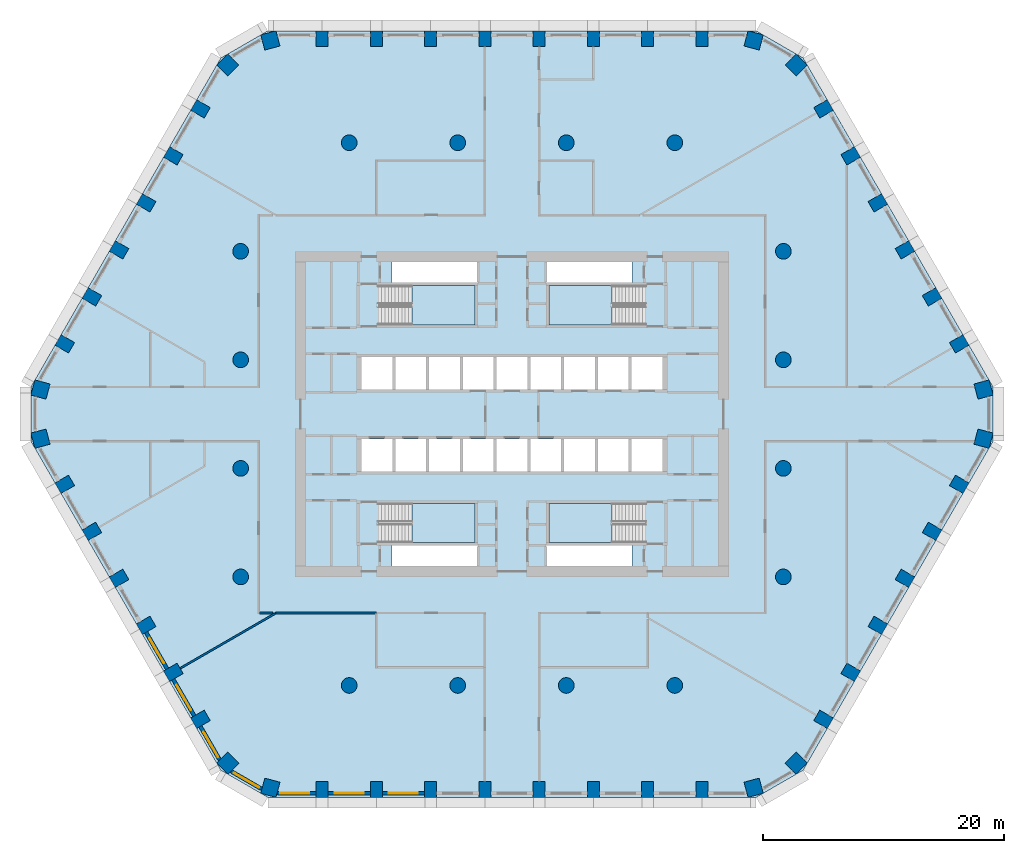
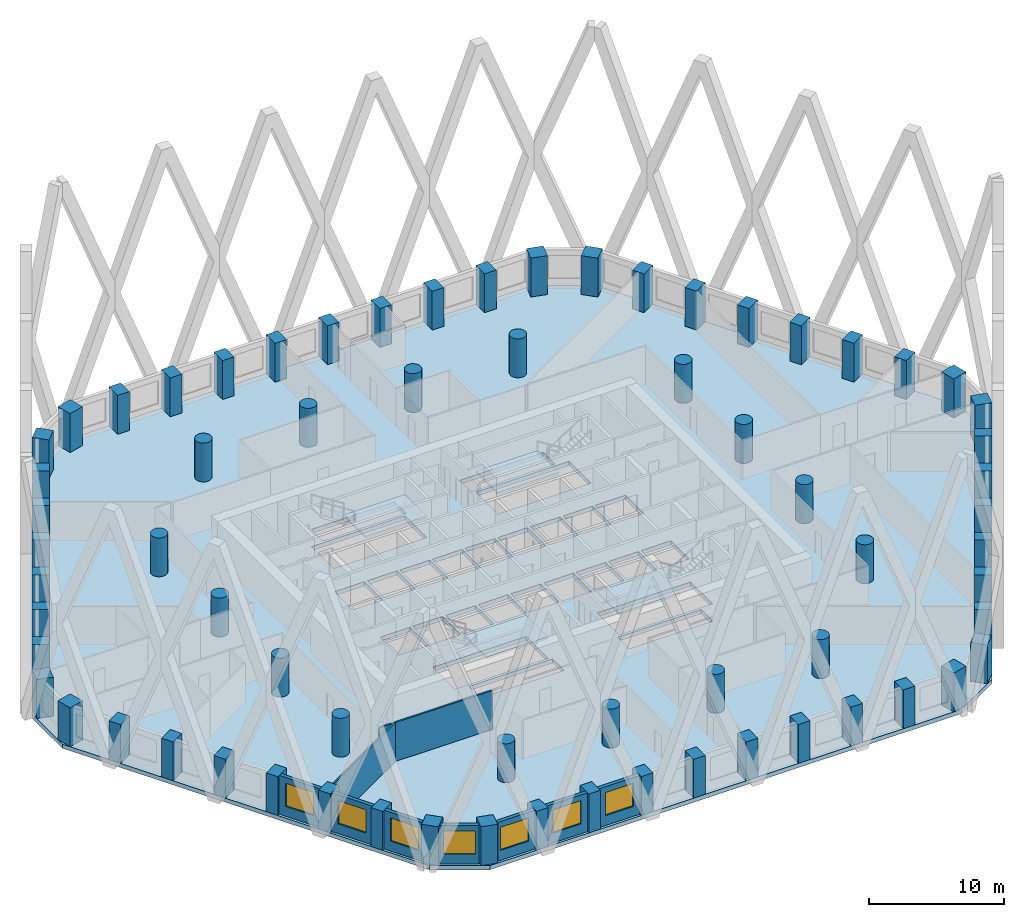
# One storey, part 1 of 18: 68 columns, 10 walls, 7 windows, 5 slabs, 7 openings, 4 elements without a shape of their own.
"""IFC4 building model written with IfcOpenShell, lengths in metres."""

import ifcopenshell
import ifcopenshell.guid

model = None  # the IFC model being written
_history = None  # IfcOwnerHistory: only IFC2X3 demands one
_inside = {}  # id of a spatial element -> (the spatial element, [elements in it])
_under = {}  # id of a project, library or spatial element -> (it, [spatial elements below it])
_declared = {}  # id of a project -> (the project, [libraries it declares])
_typed = {}  # id of a type object -> (the type object, [elements of that type])
_made_of = {}  # id of a material, layer set ... -> (it, [elements and type objects made of it])


def new_model(schema):
    """Start an empty IFC model of exactly this schema.

    Asked for "IFC4X3", IfcOpenShell would pick the latest addendum, in which some entities
    have other attributes; the version numbers below select the first issue.
    IFC2X3 requires an IfcOwnerHistory on every rooted entity: one is made here for all.
    """
    global model, _history
    if schema == "IFC4X3":
        model = ifcopenshell.file(schema_version=(4, 3, 0, 0))
    else:
        model = ifcopenshell.file(schema=schema)
    _inside.clear()
    _under.clear()
    _declared.clear()
    _typed.clear()
    _made_of.clear()
    _history = None
    if model.schema == "IFC2X3":
        org = make("IfcOrganization", Name="unknown")
        user = make(
            "IfcPersonAndOrganization",
            ThePerson=make("IfcPerson", FamilyName="unknown"),
            TheOrganization=org,
        )
        app = make(
            "IfcApplication",
            ApplicationDeveloper=org,
            Version="unknown",
            ApplicationFullName="unknown",
            ApplicationIdentifier="unknown",
        )
        _history = make(
            "IfcOwnerHistory",
            OwningUser=user,
            OwningApplication=app,
            ChangeAction="ADDED",
            CreationDate=0,
        )
    return model


def make(cls, **values):
    """One entity of the class cls with the attributes given. An attribute that is None is left unset."""
    return model.create_entity(
        cls, **{name: value for name, value in values.items() if value is not None}
    )


def rooted(cls, **values):
    """An entity with a GlobalId (a new one), such as an element, a storey or a relation."""
    return make(cls, GlobalId=ifcopenshell.guid.new(), OwnerHistory=_history, **values)


def si_unit(unit_type, name, prefix=None):
    """IfcSIUnit, for example si_unit("LENGTHUNIT", "METRE", prefix="MILLI")."""
    return make("IfcSIUnit", UnitType=unit_type, Prefix=prefix, Name=name)


def assignment(units):
    """IfcUnitAssignment: the units of a project."""
    return None if units is None else make("IfcUnitAssignment", Units=units)


def point(xyz):
    """IfcCartesianPoint."""
    return None if xyz is None else make("IfcCartesianPoint", Coordinates=xyz)


def direction(xyz):
    """IfcDirection."""
    return None if xyz is None else make("IfcDirection", DirectionRatios=xyz)


def frame(location, z_axis=None, x_axis=None):
    """IfcAxis2Placement3D, a coordinate frame: its origin and axes. An axis left out is left unset."""
    return make(
        "IfcAxis2Placement3D",
        Location=point(location),
        Axis=direction(z_axis),
        RefDirection=direction(x_axis),
    )


def frame_2d(location, x_axis=None):
    """IfcAxis2Placement2D, a coordinate frame in the plane: its origin and x axis."""
    return make(
        "IfcAxis2Placement2D", Location=point(location), RefDirection=direction(x_axis)
    )


def origin():
    """The frame at (0, 0, 0) with its axes left unset."""
    return frame((0.0, 0.0, 0.0))


def origin_2d():
    """The frame at (0, 0) in the plane with its x axis left unset."""
    return frame_2d((0.0, 0.0))


def place(relative_to, where):
    """IfcLocalPlacement: puts the frame where relative to a parent placement (None: the world)."""
    return make(
        "IfcLocalPlacement", PlacementRelTo=relative_to, RelativePlacement=where
    )


def context(
    kind, dimensions, precision=None, world=None, true_north=None, identifier=None
):
    """IfcGeometricRepresentationContext, for example the 3D "Model" context."""
    return make(
        "IfcGeometricRepresentationContext",
        ContextIdentifier=identifier,
        ContextType=kind,
        CoordinateSpaceDimension=dimensions,
        Precision=precision,
        WorldCoordinateSystem=world,
        TrueNorth=true_north,
    )


def subcontext(parent, identifier, kind, view, scale=None):
    """IfcGeometricRepresentationSubContext, for example "Body" below "Model"."""
    return make(
        "IfcGeometricRepresentationSubContext",
        ContextIdentifier=identifier,
        ContextType=kind,
        ParentContext=parent,
        TargetScale=scale,
        TargetView=view,
    )


def project(units=None, contexts=None):
    """IfcProject with its units and contexts."""
    return rooted(
        "IfcProject",
        Name="project",
        RepresentationContexts=contexts,
        UnitsInContext=assignment(units),
    )


def spatial(cls, under=None, at=None, **own):
    """A site, building, storey or space (cls), placed at a placement, below another one or the project."""
    s = rooted(cls, ObjectPlacement=at, **own)
    if under is not None:
        _under.setdefault(under.id(), (under, []))[1].append(s)
    return s


def polyline(points):
    """IfcPolyline through the points."""
    return make("IfcPolyline", Points=[point(p) for p in points])


def profile(cls, at=None, kind="AREA", **sizes):
    """A parametric profile (cls). Its sizes go by their IFC names, for example OverallWidth=200.0."""
    return make(cls, ProfileType=kind, Position=at, **sizes)


def rectangle(**sizes):
    """IfcRectangleProfileDef."""
    return profile("IfcRectangleProfileDef", **sizes)


def circle(**sizes):
    """IfcCircleProfileDef."""
    return profile("IfcCircleProfileDef", **sizes)


def outline(outer, holes=None, kind="AREA"):
    """IfcArbitraryClosedProfileDef: a profile drawn as a closed curve; with holes, ...WithVoids."""
    if holes is None:
        return make("IfcArbitraryClosedProfileDef", ProfileType=kind, OuterCurve=outer)
    return make(
        "IfcArbitraryProfileDefWithVoids",
        ProfileType=kind,
        OuterCurve=outer,
        InnerCurves=holes,
    )


def extrude(swept, where, along, depth):
    """IfcExtrudedAreaSolid: the profile swept, set in the frame where, extruded along a direction by depth."""
    return make(
        "IfcExtrudedAreaSolid",
        SweptArea=swept,
        Position=where,
        ExtrudedDirection=direction(along),
        Depth=depth,
    )


def shape(context_of_items, identifier, shape_type, items):
    """IfcShapeRepresentation: the items that make up one representation, for example the "Body"."""
    return make(
        "IfcShapeRepresentation",
        ContextOfItems=context_of_items,
        RepresentationIdentifier=identifier,
        RepresentationType=shape_type,
        Items=items,
    )


def material(Name=None, Category=None):
    """IfcMaterial."""
    return make("IfcMaterial", Name=Name, Category=Category)


def layer(
    of_material, thickness, ventilated=None, Name=None, Category=None, Priority=None
):
    """IfcMaterialLayer: one layer of a wall or slab, of a material (None: an air gap)."""
    return make(
        "IfcMaterialLayer",
        Material=of_material,
        LayerThickness=thickness,
        IsVentilated=ventilated,
        Name=Name,
        Category=Category,
        Priority=Priority,
    )


def layer_set(layers, Name=None):
    """IfcMaterialLayerSet."""
    return make("IfcMaterialLayerSet", MaterialLayers=layers, LayerSetName=Name)


def material_profile(
    of_material, cross_section, Name=None, Category=None, Priority=None
):
    """IfcMaterialProfile: a cross section and its material."""
    return make(
        "IfcMaterialProfile",
        Name=Name,
        Material=of_material,
        Profile=cross_section,
        Priority=Priority,
        Category=Category,
    )


def profile_set(profiles, Name=None, composite=None):
    """IfcMaterialProfileSet."""
    return make(
        "IfcMaterialProfileSet",
        Name=Name,
        MaterialProfiles=profiles,
        CompositeProfile=composite,
    )


def made_of(thing, what):
    """Note that an element or type object is made of a material, layer set ...; save() writes the relation."""
    if what is not None:
        _made_of.setdefault(what.id(), (what, []))[1].append(thing)
    return thing


def type_object(cls, material=None, **own):
    """A type object (cls), such as IfcWallType, which elements share."""
    return made_of(rooted(cls, **own), material)


def element(
    cls,
    number,
    at=None,
    inside=None,
    cuts=None,
    type_object=None,
    material=None,
    context=None,
    identifier="Body",
    shape_type=None,
    held_by="IfcProductDefinitionShape",
    body=None,
    shapes=None,
    **own,
):
    """One element of the class cls, such as IfcWall. Its Tag is "e" and its number.

    at: its placement. inside: the storey or other place that contains it. cuts: it is an
    opening in that element (IfcRelVoidsElement). A single representation is given by context,
    identifier, shape_type and body (its items); several are given by shapes. held_by: the class
    of the entity that holds the representations. save() writes the other relations.
    """
    e = rooted(cls, Tag="e%d" % number, ObjectPlacement=at, **own)
    if body is not None:
        shapes = [shape(context, identifier, shape_type, body)]
    if shapes is not None:
        e.Representation = make(held_by, Representations=shapes)
    if inside is not None:
        _inside.setdefault(inside.id(), (inside, []))[1].append(e)
    if cuts is not None:
        rooted(
            "IfcRelVoidsElement", RelatingBuildingElement=cuts, RelatedOpeningElement=e
        )
    if type_object is not None:
        _typed.setdefault(type_object.id(), (type_object, []))[1].append(e)
    return made_of(e, material)


def fill(opening, filler):
    """IfcRelFillsElement: the door or window that sits in an opening."""
    return rooted(
        "IfcRelFillsElement",
        RelatingOpeningElement=opening,
        RelatedBuildingElement=filler,
    )


def aggregate(whole, parts):
    """IfcRelAggregates: a whole, such as a stair, and the parts it consists of."""
    return rooted("IfcRelAggregates", RelatingObject=whole, RelatedObjects=parts)


def save(model, path):
    """Write the relations noted so far, then the file.

    IfcRelAggregates (storeys below a building ...), IfcRelContainedInSpatialStructure (elements
    in a storey), IfcRelDefinesByType, IfcRelAssociatesMaterial and IfcRelDeclares: one each for
    every whole, place, type object, material and project.
    """
    for whole, parts in _under.values():
        aggregate(whole, parts)
    for where, things in _inside.values():
        rooted(
            "IfcRelContainedInSpatialStructure",
            RelatedElements=things,
            RelatingStructure=where,
        )
    for kind, things in _typed.values():
        rooted("IfcRelDefinesByType", RelatedObjects=things, RelatingType=kind)
    for what, things in _made_of.values():
        rooted("IfcRelAssociatesMaterial", RelatedObjects=things, RelatingMaterial=what)
    for by, libraries in _declared.values():
        rooted("IfcRelDeclares", RelatingContext=by, RelatedDefinitions=libraries)
    model.write(path)


model = new_model("IFC4")

# Units and contexts
model_context = context("Model", 3, precision=1e-05, world=origin(), true_north=direction((0.0, 1.0)))
body_context = subcontext(model_context, "Body", "Model", "MODEL_VIEW")
ifc_project = project(units=[si_unit("LENGTHUNIT", "METRE"), si_unit("AREAUNIT", "SQUARE_METRE"), si_unit("VOLUMEUNIT", "CUBIC_METRE"), si_unit("PLANEANGLEUNIT", "RADIAN"), si_unit("MASSUNIT", "GRAM", prefix="KILO")], contexts=[model_context])

# Site, building, storey
site_placement = place(None, origin())
site = spatial("IfcSite", under=ifc_project, at=site_placement, CompositionType="ELEMENT")
building_placement = place(site_placement, origin())
building = spatial("IfcBuilding", under=site, at=building_placement, Name="Dhurran Vertical Campus", CompositionType="ELEMENT")
storey_placement = place(building_placement, frame((0.0, 0.0, 104.699951171875)))
storey = spatial("IfcBuildingStorey", under=building, at=storey_placement, Name="L25", CompositionType="ELEMENT", Elevation=104.699951171875)

# Columns
ifc_material_1 = material(Name="Concrete C60/75", Category="concrete")
ifc_material_profile_1 = material_profile(ifc_material_1, rectangle(XDim=1.0, YDim=1.300048828125, at=origin_2d()), Name="RC 1000x1300")
ifc_profile_set_1 = profile_set([ifc_material_profile_1], Name="Concrete C60/75")
column_type_1 = type_object("IfcColumnType", Name="FR COL RC 1000x1300 C60/75", PredefinedType="COLUMN", material=ifc_profile_set_1)
for number, where, z_axis, x_axis, name in (
    (1, (-15.75, -31.1298828125, 0.0), (0.0, 0.0, 1.0), (1.0, 0.0, 0.0), "Perimeter pier PP2.01"),
    (2, (-11.25, -31.1298828125, 0.0), (0.0, 0.0, 1.0), (1.0, 0.0, 0.0), "Perimeter pier PP2.02"),
    (3, (-6.75, -31.1298828125, 0.0), (0.0, 0.0, 1.0), (1.0, 0.0, 0.0), "Perimeter pier PP2.03"),
    (4, (-2.25, -31.1298828125, 0.0), (0.0, 0.0, 1.0), (1.0, 0.0, 0.0), "Perimeter pier PP2.04"),
    (5, (2.25, -31.1298828125, 0.0), (0.0, 0.0, 1.0), (1.0, 0.0, 0.0), "Perimeter pier PP2.05"),
    (6, (6.75, -31.1298828125, 0.0), (0.0, 0.0, 1.0), (1.0, 0.0, 0.0), "Perimeter pier PP2.06"),
    (7, (11.25, -31.1298828125, 0.0), (0.0, 0.0, 1.0), (1.0, 0.0, 0.0), "Perimeter pier PP2.07"),
    (8, (15.75, -31.1298828125, 0.0), (0.0, 0.0, 1.0), (1.0, 0.0, 0.0), "Perimeter pier PP2.08"),
    (9, (25.834228515625, -25.3076171875, 0.0), (0.0, 0.0, 1.0), (0.5, 0.866025403784, 0.0), "Perimeter pier PP2.11"),
    (10, (28.084228515625, -21.41064453125, 0.0), (0.0, 0.0, 1.0), (0.5, 0.866025403784, 0.0), "Perimeter pier PP2.12"),
    (11, (30.334228515625, -17.513427734375, 0.0), (0.0, 0.0, 1.0), (0.5, 0.866025403784, 0.0), "Perimeter pier PP2.13"),
    (12, (32.584228515625, -13.6162109375, 0.0), (0.0, 0.0, 1.0), (0.5, 0.866025403784, 0.0), "Perimeter pier PP2.14"),
    (13, (34.834228515625, -9.71923828125, 0.0), (0.0, 0.0, 1.0), (0.5, 0.866025403784, 0.0), "Perimeter pier PP2.15"),
    (14, (37.084228515625, -5.822021484375, 0.0), (0.0, 0.0, 1.0), (0.5, 0.866025403784, 0.0), "Perimeter pier PP2.16"),
    (15, (37.084228515625, 5.822021484375, 0.0), (0.0, 0.0, 1.0), (-0.5, 0.866025403784, 0.0), "Perimeter pier PP2.19"),
    (16, (34.834228515625, 9.71923828125, 0.0), (0.0, 0.0, 1.0), (-0.5, 0.866025403784, 0.0), "Perimeter pier PP2.20"),
    (17, (32.584228515625, 13.6162109375, 0.0), (0.0, 0.0, 1.0), (-0.5, 0.866025403784, 0.0), "Perimeter pier PP2.21"),
    (18, (30.334228515625, 17.513427734375, 0.0), (0.0, 0.0, 1.0), (-0.5, 0.866025403784, 0.0), "Perimeter pier PP2.22"),
    (19, (28.084228515625, 21.41064453125, 0.0), (0.0, 0.0, 1.0), (-0.5, 0.866025403784, 0.0), "Perimeter pier PP2.23"),
    (20, (25.834228515625, 25.3076171875, 0.0), (0.0, 0.0, 1.0), (-0.5, 0.866025403784, 0.0), "Perimeter pier PP2.24"),
    (21, (15.75, 31.1298828125, 0.0), (0.0, 0.0, 1.0), (-1.0, 0.0, 0.0), "Perimeter pier PP2.27"),
    (22, (11.25, 31.1298828125, 0.0), (0.0, 0.0, 1.0), (-1.0, 0.0, 0.0), "Perimeter pier PP2.28"),
    (23, (6.75, 31.1298828125, 0.0), (0.0, 0.0, 1.0), (-1.0, 0.0, 0.0), "Perimeter pier PP2.29"),
    (24, (2.25, 31.1298828125, 0.0), (0.0, 0.0, 1.0), (-1.0, 0.0, 0.0), "Perimeter pier PP2.30"),
    (25, (-2.25, 31.1298828125, 0.0), (0.0, 0.0, 1.0), (-1.0, 0.0, 0.0), "Perimeter pier PP2.31"),
    (26, (-6.75, 31.1298828125, 0.0), (0.0, 0.0, 1.0), (-1.0, 0.0, 0.0), "Perimeter pier PP2.32"),
    (27, (-11.25, 31.1298828125, 0.0), (0.0, 0.0, 1.0), (-1.0, 0.0, 0.0), "Perimeter pier PP2.33"),
    (28, (-15.75, 31.1298828125, 0.0), (0.0, 0.0, 1.0), (-1.0, 0.0, 0.0), "Perimeter pier PP2.34"),
    (29, (-25.834228515625, 25.3076171875, 0.0), (0.0, 0.0, 1.0), (-0.5, -0.866025403784, 0.0), "Perimeter pier PP2.37"),
    (30, (-28.084228515625, 21.41064453125, 0.0), (0.0, 0.0, 1.0), (-0.5, -0.866025403784, 0.0), "Perimeter pier PP2.38"),
    (31, (-30.334228515625, 17.513427734375, 0.0), (0.0, 0.0, 1.0), (-0.5, -0.866025403784, 0.0), "Perimeter pier PP2.39"),
    (32, (-32.584228515625, 13.6162109375, 0.0), (0.0, 0.0, 1.0), (-0.5, -0.866025403784, 0.0), "Perimeter pier PP2.40"),
    (33, (-34.834228515625, 9.71923828125, 0.0), (0.0, 0.0, 1.0), (-0.5, -0.866025403784, 0.0), "Perimeter pier PP2.41"),
    (34, (-37.084228515625, 5.822021484375, 0.0), (0.0, 0.0, 1.0), (-0.5, -0.866025403784, 0.0), "Perimeter pier PP2.42"),
    (35, (-37.084228515625, -5.822021484375, 0.0), (0.0, 0.0, 1.0), (0.5, -0.866025403784, 0.0), "Perimeter pier PP2.45"),
    (36, (-34.834228515625, -9.71923828125, 0.0), (0.0, 0.0, 1.0), (0.5, -0.866025403784, 0.0), "Perimeter pier PP2.46"),
    (37, (-32.584228515625, -13.6162109375, 0.0), (0.0, 0.0, 1.0), (0.5, -0.866025403784, 0.0), "Perimeter pier PP2.47"),
    (38, (-30.334228515625, -17.513427734375, 0.0), (0.0, 0.0, 1.0), (0.5, -0.866025403784, 0.0), "Perimeter pier PP2.48"),
    (39, (-28.084228515625, -21.41064453125, 0.0), (0.0, 0.0, 1.0), (0.5, -0.866025403784, 0.0), "Perimeter pier PP2.49"),
    (40, (-25.834228515625, -25.3076171875, 0.0), (0.0, 0.0, 1.0), (0.5, -0.866025403784, 0.0), "Perimeter pier PP2.50"),
):
    element("IfcColumn", number, at=place(storey_placement, frame(where, z_axis=z_axis, x_axis=x_axis)), inside=storey, type_object=column_type_1, Name=name, PredefinedType="COLUMN", context=body_context, shape_type="SweptSolid", body=[
        extrude(rectangle(XDim=1.0, YDim=1.300048828125, at=origin_2d()), origin(), (0.0, 0.0, 1.0), 3.525146484375),
    ])
ifc_material_2 = material(Name="Concrete C60/75", Category="concrete")
ifc_material_profile_2 = material_profile(ifc_material_2, rectangle(XDim=1.300048828125, YDim=1.300048828125, at=origin_2d()), Name="RC 1300x1300")
ifc_profile_set_2 = profile_set([ifc_material_profile_2], Name="Concrete C60/75")
column_type_2 = type_object("IfcColumnType", Name="FR COL RC 1300x1300 C60/75", PredefinedType="COLUMN", material=ifc_profile_set_2)
for number, where, z_axis, x_axis, name in (
    (41, (-20.03662109375, -30.983642578125, 0.0), (0.0, 0.0, 1.0), (0.965925826289, -0.258819045103, 0.0), "Perimeter pier PP2.00"),
    (42, (20.03662109375, -30.983642578125, 0.0), (0.0, 0.0, 1.0), (0.965925826289, 0.258819045103, 0.0), "Perimeter pier PP2.09"),
    (43, (23.564208984375, -28.947021484375, 0.0), (0.0, 0.0, 1.0), (0.707106781187, 0.707106781187, 0.0), "Perimeter pier PP2.10"),
    (44, (39.10107421875, -2.03662109375, 0.0), (0.0, 0.0, 1.0), (0.258819045103, 0.965925826289, 0.0), "Perimeter pier PP2.17"),
    (45, (39.10107421875, 2.03662109375, 0.0), (0.0, 0.0, 1.0), (-0.258819045103, 0.965925826289, 0.0), "Perimeter pier PP2.18"),
    (46, (23.564208984375, 28.947021484375, 0.0), (0.0, 0.0, 1.0), (-0.707106781187, 0.707106781187, 0.0), "Perimeter pier PP2.25"),
    (47, (20.03662109375, 30.983642578125, 0.0), (0.0, 0.0, 1.0), (-0.965925826289, 0.258819045103, 0.0), "Perimeter pier PP2.26"),
    (48, (-20.03662109375, 30.983642578125, 0.0), (0.0, 0.0, 1.0), (-0.965925826289, -0.258819045103, 0.0), "Perimeter pier PP2.35"),
    (49, (-23.564208984375, 28.947021484375, 0.0), (0.0, 0.0, 1.0), (-0.707106781187, -0.707106781187, 0.0), "Perimeter pier PP2.36"),
    (50, (-39.10107421875, 2.03662109375, 0.0), (0.0, 0.0, 1.0), (-0.258819045103, -0.965925826289, 0.0), "Perimeter pier PP2.43"),
    (51, (-39.10107421875, -2.03662109375, 0.0), (0.0, 0.0, 1.0), (0.258819045103, -0.965925826289, 0.0), "Perimeter pier PP2.44"),
    (52, (-23.564208984375, -28.947021484375, 0.0), (0.0, 0.0, 1.0), (0.707106781187, -0.707106781187, 0.0), "Perimeter pier PP2.51"),
):
    element("IfcColumn", number, at=place(storey_placement, frame(where, z_axis=z_axis, x_axis=x_axis)), inside=storey, type_object=column_type_2, Name=name, PredefinedType="COLUMN", context=body_context, shape_type="SweptSolid", body=[
        extrude(rectangle(XDim=1.300048828125, YDim=1.300048828125, at=origin_2d()), origin(), (0.0, 0.0, 1.0), 3.525146484375),
    ])
ifc_material_3 = material(Name="Concrete C60/75", Category="concrete")
ifc_material_profile_3 = material_profile(ifc_material_3, circle(Radius=0.64990234375, at=origin_2d()), Name="RCC D1300")
ifc_profile_set_3 = profile_set([ifc_material_profile_3], Name="Concrete C60/75")
column_type_3 = type_object("IfcColumnType", Name="FR COL RCC D1300 C60/75", PredefinedType="COLUMN", material=ifc_profile_set_3)
for number, where, z_axis, x_axis, name in (
    (53, (-22.5, -13.5, 0.0), (0.0, 0.0, 1.0), (1.0, 0.0, 0.0), "Inner column IC2-D4"),
    (54, (-22.5, -4.5, 0.0), (0.0, 0.0, 1.0), (1.0, 0.0, 0.0), "Inner column IC2-D5"),
    (55, (-22.5, 4.5, 0.0), (0.0, 0.0, 1.0), (1.0, 0.0, 0.0), "Inner column IC2-D6"),
    (56, (-22.5, 13.5, 0.0), (0.0, 0.0, 1.0), (1.0, 0.0, 0.0), "Inner column IC2-D7"),
    (57, (-13.5, -22.5, 0.0), (0.0, 0.0, 1.0), (1.0, 0.0, 0.0), "Inner column IC2-E3"),
    (58, (-13.5, 22.5, 0.0), (0.0, 0.0, 1.0), (1.0, 0.0, 0.0), "Inner column IC2-E8"),
    (59, (-4.5, -22.5, 0.0), (0.0, 0.0, 1.0), (1.0, 0.0, 0.0), "Inner column IC2-F3"),
    (60, (-4.5, 22.5, 0.0), (0.0, 0.0, 1.0), (1.0, 0.0, 0.0), "Inner column IC2-F8"),
    (61, (4.5, -22.5, 0.0), (0.0, 0.0, 1.0), (1.0, 0.0, 0.0), "Inner column IC2-G3"),
    (62, (4.5, 22.5, 0.0), (0.0, 0.0, 1.0), (1.0, 0.0, 0.0), "Inner column IC2-G8"),
    (63, (13.5, -22.5, 0.0), (0.0, 0.0, 1.0), (1.0, 0.0, 0.0), "Inner column IC2-H3"),
    (64, (13.5, 22.5, 0.0), (0.0, 0.0, 1.0), (1.0, 0.0, 0.0), "Inner column IC2-H8"),
    (65, (22.5, -13.5, 0.0), (0.0, 0.0, 1.0), (1.0, 0.0, 0.0), "Inner column IC2-J4"),
    (66, (22.5, -4.5, 0.0), (0.0, 0.0, 1.0), (1.0, 0.0, 0.0), "Inner column IC2-J5"),
    (67, (22.5, 4.5, 0.0), (0.0, 0.0, 1.0), (1.0, 0.0, 0.0), "Inner column IC2-J6"),
    (68, (22.5, 13.5, 0.0), (0.0, 0.0, 1.0), (1.0, 0.0, 0.0), "Inner column IC2-J7"),
):
    element("IfcColumn", number, at=place(storey_placement, frame(where, z_axis=z_axis, x_axis=x_axis)), inside=storey, type_object=column_type_3, Name=name, PredefinedType="COLUMN", context=body_context, shape_type="SweptSolid", body=[
        extrude(circle(Radius=0.64990234375, at=origin_2d()), origin(), (0.0, 0.0, 1.0), 3.525146484375),
    ])

# Slab
ifc_material_4 = material(Name="Concrete C40/50", Category="concrete")
ifc_layer_1 = layer(ifc_material_4, 0.375)
ifc_layer_set_1 = layer_set([ifc_layer_1], Name="Concrete C40/50")
slab_type_1 = type_object("IfcSlabType", Name="FR POST-TENSIONED FLAT SLAB 375", PredefinedType="FLOOR", material=ifc_layer_set_1)
slab_1_placement = place(storey_placement, frame((0.0, 0.0, -0.375)))
element("IfcSlab", 69, at=slab_1_placement, inside=storey, type_object=slab_type_1, Name="Floor slab L25", PredefinedType="FLOOR", context=body_context, shape_type="SweptSolid", body=[
    extrude(outline(polyline([(-20.25, -31.77978515625), (20.25, -31.77978515625), (24.147216796875, -29.52978515625), (39.897216796875, -2.25), (39.897216796875, 2.25), (24.147216796875, 29.52978515625), (20.25, 31.77978515625), (-20.25, 31.77978515625), (-24.147216796875, 29.52978515625), (-39.897216796875, 2.25), (-39.897216796875, -2.25), (-24.147216796875, -29.52978515625), (-20.25, -31.77978515625)]), holes=[polyline([(-12.47509765625, 2.050048828125), (-9.925048828125, 2.050048828125), (-9.925048828125, 4.75), (-12.47509765625, 4.75), (-12.47509765625, 2.050048828125)]), polyline([(-9.675048828125, 2.050048828125), (-7.125, 2.050048828125), (-7.125, 4.75), (-9.675048828125, 4.75), (-9.675048828125, 2.050048828125)]), polyline([(-6.875, 2.050048828125), (-4.324951171875, 2.050048828125), (-4.324951171875, 4.75), (-6.875, 4.75), (-6.875, 2.050048828125)]), polyline([(-1.27490234375, 2.050048828125), (1.27490234375, 2.050048828125), (1.27490234375, 4.75), (-1.27490234375, 4.75), (-1.27490234375, 2.050048828125)]), polyline([(9.925048828125, 2.050048828125), (12.47509765625, 2.050048828125), (12.47509765625, 4.75), (9.925048828125, 4.75), (9.925048828125, 2.050048828125)]), polyline([(-1.27490234375, -4.75), (1.27490234375, -4.75), (1.27490234375, -2.050048828125), (-1.27490234375, -2.050048828125), (-1.27490234375, -4.75)]), polyline([(1.52490234375, -4.75), (4.074951171875, -4.75), (4.074951171875, -2.050048828125), (1.52490234375, -2.050048828125), (1.52490234375, -4.75)]), polyline([(4.324951171875, -4.75), (6.875, -4.75), (6.875, -2.050048828125), (4.324951171875, -2.050048828125), (4.324951171875, -4.75)]), polyline([(7.125, -4.75), (9.675048828125, -4.75), (9.675048828125, -2.050048828125), (7.125, -2.050048828125), (7.125, -4.75)]), polyline([(9.925048828125, -4.75), (12.47509765625, -4.75), (12.47509765625, -2.050048828125), (9.925048828125, -2.050048828125), (9.925048828125, -4.75)]), polyline([(-4.074951171875, 2.050048828125), (-1.52490234375, 2.050048828125), (-1.52490234375, 4.75), (-4.074951171875, 4.75), (-4.074951171875, 2.050048828125)]), polyline([(1.52490234375, 2.050048828125), (4.074951171875, 2.050048828125), (4.074951171875, 4.75), (1.52490234375, 4.75), (1.52490234375, 2.050048828125)]), polyline([(4.324951171875, 2.050048828125), (6.875, 2.050048828125), (6.875, 4.75), (4.324951171875, 4.75), (4.324951171875, 2.050048828125)]), polyline([(7.125, 2.050048828125), (9.675048828125, 2.050048828125), (9.675048828125, 4.75), (7.125, 4.75), (7.125, 2.050048828125)]), polyline([(-12.47509765625, -4.75), (-9.925048828125, -4.75), (-9.925048828125, -2.050048828125), (-12.47509765625, -2.050048828125), (-12.47509765625, -4.75)]), polyline([(-9.675048828125, -4.75), (-7.125, -4.75), (-7.125, -2.050048828125), (-9.675048828125, -2.050048828125), (-9.675048828125, -4.75)]), polyline([(-6.875, -4.75), (-4.324951171875, -4.75), (-4.324951171875, -2.050048828125), (-6.875, -2.050048828125), (-6.875, -4.75)]), polyline([(-4.074951171875, -4.75), (-1.52490234375, -4.75), (-1.52490234375, -2.050048828125), (-4.074951171875, -2.050048828125), (-4.074951171875, -4.75)]), polyline([(-11.050048828125, 7.39990234375), (-3.050048828125, 7.39990234375), (-3.050048828125, 10.64990234375), (-11.050048828125, 10.64990234375), (-11.050048828125, 7.39990234375)]), polyline([(3.050048828125, 7.39990234375), (11.050048828125, 7.39990234375), (11.050048828125, 10.64990234375), (3.050048828125, 10.64990234375), (3.050048828125, 7.39990234375)]), polyline([(-11.050048828125, -10.64990234375), (-3.050048828125, -10.64990234375), (-3.050048828125, -7.39990234375), (-11.050048828125, -7.39990234375), (-11.050048828125, -10.64990234375)]), polyline([(3.050048828125, -10.64990234375), (11.050048828125, -10.64990234375), (11.050048828125, -7.39990234375), (3.050048828125, -7.39990234375), (3.050048828125, -10.64990234375)]), polyline([(-9.949951171875, 10.89990234375), (-9.949951171875, 12.60009765625), (-2.800048828125, 12.60009765625), (-2.800048828125, 10.89990234375), (-9.949951171875, 10.89990234375)]), polyline([(9.949951171875, 12.60009765625), (9.949951171875, 10.89990234375), (2.800048828125, 10.89990234375), (2.800048828125, 12.60009765625), (9.949951171875, 12.60009765625)]), polyline([(-9.949951171875, -12.60009765625), (-9.949951171875, -10.89990234375), (-2.800048828125, -10.89990234375), (-2.800048828125, -12.60009765625), (-9.949951171875, -12.60009765625)]), polyline([(9.949951171875, -10.89990234375), (9.949951171875, -12.60009765625), (2.800048828125, -12.60009765625), (2.800048828125, -10.89990234375), (9.949951171875, -10.89990234375)])]), origin(), (0.0, 0.0, 1.0), 0.375),
])

# Stair, slab
ifc_material_5 = material(Name="Concrete C40/50", Category="concrete")
stair_type = type_object("IfcStairType", Name="co-ST-CORE", PredefinedType="HALF_TURN_STAIR", material=ifc_material_5)
stair_1_placement = place(storey_placement, origin())
stair_1 = element("IfcStair", 70, at=stair_1_placement, inside=storey, type_object=stair_type, Name="L25 Protected exit stair ST1", PredefinedType="HALF_TURN_STAIR")
ifc_material_6 = material(Name="Concrete C40/50", Category="concrete")
ifc_layer_2 = layer(ifc_material_6, 0.199951171875)
ifc_layer_set_2 = layer_set([ifc_layer_2], Name="Concrete C40/50")
slab_type_2 = type_object("IfcSlabType", Name="co-SL-LANDING", PredefinedType="LANDING", material=ifc_layer_set_2)
slab_2_placement = place(storey_placement, frame((0.0, 0.0, 1.75)))
slab_2 = element("IfcSlab", 71, at=slab_2_placement, type_object=slab_type_2, Name="ST1 landing 1", PredefinedType="LANDING", context=body_context, shape_type="SweptSolid", body=[
    extrude(outline(polyline([(-8.300048828125, 7.39990234375), (-3.050048828125, 7.39990234375), (-3.050048828125, 10.64990234375), (-8.300048828125, 10.64990234375), (-8.300048828125, 7.39990234375)])), origin(), (0.0, 0.0, 1.0), 0.199951171875),
])
aggregate(stair_1, [slab_2])

stair_2_placement = place(storey_placement, origin())
stair_2 = element("IfcStair", 72, at=stair_2_placement, inside=storey, type_object=stair_type, Name="L25 Protected exit stair ST2", PredefinedType="HALF_TURN_STAIR")
slab_3_placement = place(storey_placement, frame((0.0, 0.0, 1.75)))
slab_3 = element("IfcSlab", 73, at=slab_3_placement, type_object=slab_type_2, Name="ST2 landing 1", PredefinedType="LANDING", context=body_context, shape_type="SweptSolid", body=[
    extrude(outline(polyline([(8.300048828125, 10.64990234375), (3.050048828125, 10.64990234375), (3.050048828125, 7.39990234375), (8.300048828125, 7.39990234375), (8.300048828125, 10.64990234375)])), origin(), (0.0, 0.0, 1.0), 0.199951171875),
])
aggregate(stair_2, [slab_3])

stair_3_placement = place(storey_placement, origin())
stair_3 = element("IfcStair", 74, at=stair_3_placement, inside=storey, type_object=stair_type, Name="L25 Protected exit stair ST3", PredefinedType="HALF_TURN_STAIR")
slab_4_placement = place(storey_placement, frame((0.0, 0.0, 1.75)))
slab_4 = element("IfcSlab", 75, at=slab_4_placement, type_object=slab_type_2, Name="ST3 landing 1", PredefinedType="LANDING", context=body_context, shape_type="SweptSolid", body=[
    extrude(outline(polyline([(-8.300048828125, -10.64990234375), (-3.050048828125, -10.64990234375), (-3.050048828125, -7.39990234375), (-8.300048828125, -7.39990234375), (-8.300048828125, -10.64990234375)])), origin(), (0.0, 0.0, 1.0), 0.199951171875),
])
aggregate(stair_3, [slab_4])

stair_4_placement = place(storey_placement, origin())
stair_4 = element("IfcStair", 76, at=stair_4_placement, inside=storey, type_object=stair_type, Name="L25 Protected exit stair ST4", PredefinedType="HALF_TURN_STAIR")
slab_5_placement = place(storey_placement, frame((0.0, 0.0, 1.75)))
slab_5 = element("IfcSlab", 77, at=slab_5_placement, type_object=slab_type_2, Name="ST4 landing 1", PredefinedType="LANDING", context=body_context, shape_type="SweptSolid", body=[
    extrude(outline(polyline([(8.300048828125, -7.39990234375), (3.050048828125, -7.39990234375), (3.050048828125, -10.64990234375), (8.300048828125, -10.64990234375), (8.300048828125, -7.39990234375)])), origin(), (0.0, 0.0, 1.0), 0.199951171875),
])
aggregate(stair_4, [slab_5])

# Wall, opening, window
ifc_material_7 = material(Name="Precast concrete C50/60", Category="concrete")
ifc_layer_3 = layer(ifc_material_7, 0.300048828125)
ifc_layer_set_3 = layer_set([ifc_layer_3], Name="Precast concrete C50/60")
wall_type_1 = type_object("IfcWallType", Name="Precast spandrel wall 300", PredefinedType="SOLIDWALL", material=ifc_layer_set_3)
wall_1_placement = place(storey_placement, frame((-19.44287109375, -31.4296875, 0.0), z_axis=(0.0, 0.0, 1.0), x_axis=(1.0, 0.0, 0.0)))
wall_1 = element("IfcWall", 78, at=wall_1_placement, inside=storey, type_object=wall_type_1, Name="EW1 L25.00", PredefinedType="SOLIDWALL", context=body_context, shape_type="SweptSolid", body=[
    extrude(rectangle(XDim=3.1923828125, YDim=0.300048828125, at=frame_2d((1.59619140625, 0.0))), origin(), (0.0, 0.0, 1.0), 3.525146484375),
])
opening_1_placement = place(wall_1_placement, frame((0.242919921875, 0.0, 0.89990234375)))
opening_1 = element("IfcOpeningElement", 79, at=opening_1_placement, cuts=wall_1, Name="Opening WT1", PredefinedType="OPENING", context=body_context, shape_type="SweptSolid", body=[
    extrude(rectangle(XDim=2.39990234375, YDim=2.10009765625, at=frame_2d((1.199951171875, 1.050048828125))), frame((0.0, 0.159912109375, 0.0), z_axis=(0.0, -1.0, 0.0), x_axis=(1.0, 0.0, 0.0)), (0.0, 0.0, 1.0), 0.320068359375),
])
ifc_material_8 = material(Name="Aluminium frame with solar-control glass", Category="aluminium")
window_type = type_object("IfcWindowType", Name="Punched window 2400 x 2100", PartitioningType="SINGLE_PANEL", PredefinedType="WINDOW", material=ifc_material_8)
window_1_placement = place(opening_1_placement, origin())
window_1 = element("IfcWindow", 80, at=window_1_placement, inside=storey, type_object=window_type, Name="WT1 L25.00", OverallHeight=2.10009765625, OverallWidth=2.39990234375, PartitioningType="SINGLE_PANEL", PredefinedType="WINDOW", context=body_context, shape_type="SweptSolid", body=[
    extrude(rectangle(XDim=2.39990234375, YDim=2.10009765625, at=frame_2d((1.199951171875, 1.050048828125))), frame((0.0, 0.030029296875, 0.0), z_axis=(0.0, -1.0, 0.0), x_axis=(1.0, 0.0, 0.0)), (0.0, 0.0, 1.0), 0.06005859375),
])
fill(opening_1, window_1)

wall_2_placement = place(storey_placement, frame((-15.24951171875, -31.4296875, 0.0), z_axis=(0.0, 0.0, 1.0), x_axis=(1.0, 0.0, 0.0)))
wall_2 = element("IfcWall", 81, at=wall_2_placement, inside=storey, type_object=wall_type_1, Name="EW1 L25.01", PredefinedType="SOLIDWALL", context=body_context, shape_type="SweptSolid", body=[
    extrude(rectangle(XDim=3.4990234375, YDim=0.300048828125, at=frame_2d((1.74951171875, 0.0))), origin(), (0.0, 0.0, 1.0), 3.525146484375),
])
opening_2_placement = place(wall_2_placement, frame((0.549560546875, 0.0, 0.89990234375)))
opening_2 = element("IfcOpeningElement", 82, at=opening_2_placement, cuts=wall_2, Name="Opening WT1", PredefinedType="OPENING", context=body_context, shape_type="SweptSolid", body=[
    extrude(rectangle(XDim=2.39990234375, YDim=2.10009765625, at=frame_2d((1.199951171875, 1.050048828125))), frame((0.0, 0.159912109375, 0.0), z_axis=(0.0, -1.0, 0.0), x_axis=(1.0, 0.0, 0.0)), (0.0, 0.0, 1.0), 0.320068359375),
])
window_2_placement = place(opening_2_placement, origin())
window_2 = element("IfcWindow", 83, at=window_2_placement, inside=storey, type_object=window_type, Name="WT1 L25.01", OverallHeight=2.10009765625, OverallWidth=2.39990234375, PartitioningType="SINGLE_PANEL", PredefinedType="WINDOW", context=body_context, shape_type="SweptSolid", body=[
    extrude(rectangle(XDim=2.39990234375, YDim=2.10009765625, at=frame_2d((1.199951171875, 1.050048828125))), frame((0.0, 0.030029296875, 0.0), z_axis=(0.0, -1.0, 0.0), x_axis=(1.0, 0.0, 0.0)), (0.0, 0.0, 1.0), 0.06005859375),
])
fill(opening_2, window_2)

wall_3_placement = place(storey_placement, frame((-10.74951171875, -31.4296875, 0.0), z_axis=(0.0, 0.0, 1.0), x_axis=(1.0, 0.0, 0.0)))
wall_3 = element("IfcWall", 84, at=wall_3_placement, inside=storey, type_object=wall_type_1, Name="EW1 L25.02", PredefinedType="SOLIDWALL", context=body_context, shape_type="SweptSolid", body=[
    extrude(rectangle(XDim=3.4990234375, YDim=0.300048828125, at=frame_2d((1.74951171875, 0.0))), origin(), (0.0, 0.0, 1.0), 3.525146484375),
])
opening_3_placement = place(wall_3_placement, frame((0.549560546875, 0.0, 0.89990234375)))
opening_3 = element("IfcOpeningElement", 85, at=opening_3_placement, cuts=wall_3, Name="Opening WT1", PredefinedType="OPENING", context=body_context, shape_type="SweptSolid", body=[
    extrude(rectangle(XDim=2.39990234375, YDim=2.10009765625, at=frame_2d((1.199951171875, 1.050048828125))), frame((0.0, 0.159912109375, 0.0), z_axis=(0.0, -1.0, 0.0), x_axis=(1.0, 0.0, 0.0)), (0.0, 0.0, 1.0), 0.320068359375),
])
window_3_placement = place(opening_3_placement, origin())
window_3 = element("IfcWindow", 86, at=window_3_placement, inside=storey, type_object=window_type, Name="WT1 L25.02", OverallHeight=2.10009765625, OverallWidth=2.39990234375, PartitioningType="SINGLE_PANEL", PredefinedType="WINDOW", context=body_context, shape_type="SweptSolid", body=[
    extrude(rectangle(XDim=2.39990234375, YDim=2.10009765625, at=frame_2d((1.199951171875, 1.050048828125))), frame((0.0, 0.030029296875, 0.0), z_axis=(0.0, -1.0, 0.0), x_axis=(1.0, 0.0, 0.0)), (0.0, 0.0, 1.0), 0.06005859375),
])
fill(opening_3, window_3)

wall_4_placement = place(storey_placement, frame((-30.34375, -18.096923828125, 0.0), z_axis=(0.0, 0.0, 1.0), x_axis=(0.499996256241, -0.866027565234, 0.0)))
wall_4 = element("IfcWall", 87, at=wall_4_placement, inside=storey, type_object=wall_type_1, Name="EW1 L25.48", PredefinedType="SOLIDWALL", context=body_context, shape_type="SweptSolid", body=[
    extrude(rectangle(XDim=3.4990234375, YDim=0.300048828125, at=frame_2d((1.74951171875, 0.0))), origin(), (0.0, 0.0, 1.0), 3.525146484375),
])
opening_4_placement = place(wall_4_placement, frame((0.549560546875, 0.0, 0.89990234375)))
opening_4 = element("IfcOpeningElement", 88, at=opening_4_placement, cuts=wall_4, Name="Opening WT1", PredefinedType="OPENING", context=body_context, shape_type="SweptSolid", body=[
    extrude(rectangle(XDim=2.39990234375, YDim=2.10009765625, at=frame_2d((1.199951171875, 1.050048828125))), frame((0.0, 0.159912109375, 0.0), z_axis=(0.0, -1.0, 0.0), x_axis=(1.0, 0.0, 0.0)), (0.0, 0.0, 1.0), 0.320068359375),
])
window_4_placement = place(opening_4_placement, origin())
window_4 = element("IfcWindow", 89, at=window_4_placement, inside=storey, type_object=window_type, Name="WT1 L25.48", OverallHeight=2.10009765625, OverallWidth=2.39990234375, PartitioningType="SINGLE_PANEL", PredefinedType="WINDOW", context=body_context, shape_type="SweptSolid", body=[
    extrude(rectangle(XDim=2.39990234375, YDim=2.10009765625, at=frame_2d((1.199951171875, 1.050048828125))), frame((0.0, 0.030029296875, 0.0), z_axis=(0.0, -1.0, 0.0), x_axis=(1.0, 0.0, 0.0)), (0.0, 0.0, 1.0), 0.06005859375),
])
fill(opening_4, window_4)

wall_5_placement = place(storey_placement, frame((-28.09375, -21.993896484375, 0.0), z_axis=(0.0, 0.0, 1.0), x_axis=(0.499996256241, -0.866027565234, 0.0)))
wall_5 = element("IfcWall", 90, at=wall_5_placement, inside=storey, type_object=wall_type_1, Name="EW1 L25.49", PredefinedType="SOLIDWALL", context=body_context, shape_type="SweptSolid", body=[
    extrude(rectangle(XDim=3.4990234375, YDim=0.300048828125, at=frame_2d((1.74951171875, 0.0))), origin(), (0.0, 0.0, 1.0), 3.525146484375),
])
opening_5_placement = place(wall_5_placement, frame((0.549560546875, 0.0, 0.89990234375)))
opening_5 = element("IfcOpeningElement", 91, at=opening_5_placement, cuts=wall_5, Name="Opening WT1", PredefinedType="OPENING", context=body_context, shape_type="SweptSolid", body=[
    extrude(rectangle(XDim=2.39990234375, YDim=2.10009765625, at=frame_2d((1.199951171875, 1.050048828125))), frame((0.0, 0.159912109375, 0.0), z_axis=(0.0, -1.0, 0.0), x_axis=(1.0, 0.0, 0.0)), (0.0, 0.0, 1.0), 0.320068359375),
])
window_5_placement = place(opening_5_placement, origin())
window_5 = element("IfcWindow", 92, at=window_5_placement, inside=storey, type_object=window_type, Name="WT1 L25.49", OverallHeight=2.10009765625, OverallWidth=2.39990234375, PartitioningType="SINGLE_PANEL", PredefinedType="WINDOW", context=body_context, shape_type="SweptSolid", body=[
    extrude(rectangle(XDim=2.39990234375, YDim=2.10009765625, at=frame_2d((1.199951171875, 1.050048828125))), frame((0.0, 0.030029296875, 0.0), z_axis=(0.0, -1.0, 0.0), x_axis=(1.0, 0.0, 0.0)), (0.0, 0.0, 1.0), 0.06005859375),
])
fill(opening_5, window_5)

wall_6_placement = place(storey_placement, frame((-25.84375, -25.89111328125, 0.0), z_axis=(0.0, 0.0, 1.0), x_axis=(0.500004907028, -0.866022570692, 0.0)))
wall_6 = element("IfcWall", 93, at=wall_6_placement, inside=storey, type_object=wall_type_1, Name="EW1 L25.50", PredefinedType="SOLIDWALL", context=body_context, shape_type="SweptSolid", body=[
    extrude(rectangle(XDim=3.1923828125, YDim=0.300048828125, at=frame_2d((1.59619140625, 0.0))), origin(), (0.0, 0.0, 1.0), 3.525146484375),
])
opening_6_placement = place(wall_6_placement, frame((0.549560546875, 0.0, 0.89990234375)))
opening_6 = element("IfcOpeningElement", 94, at=opening_6_placement, cuts=wall_6, Name="Opening WT1", PredefinedType="OPENING", context=body_context, shape_type="SweptSolid", body=[
    extrude(rectangle(XDim=2.39990234375, YDim=2.10009765625, at=frame_2d((1.199951171875, 1.050048828125))), frame((0.0, 0.159912109375, 0.0), z_axis=(0.0, -1.0, 0.0), x_axis=(1.0, 0.0, 0.0)), (0.0, 0.0, 1.0), 0.320068359375),
])
window_6_placement = place(opening_6_placement, origin())
window_6 = element("IfcWindow", 95, at=window_6_placement, inside=storey, type_object=window_type, Name="WT1 L25.50", OverallHeight=2.10009765625, OverallWidth=2.39990234375, PartitioningType="SINGLE_PANEL", PredefinedType="WINDOW", context=body_context, shape_type="SweptSolid", body=[
    extrude(rectangle(XDim=2.39990234375, YDim=2.10009765625, at=frame_2d((1.199951171875, 1.050048828125))), frame((0.0, 0.030029296875, 0.0), z_axis=(0.0, -1.0, 0.0), x_axis=(1.0, 0.0, 0.0)), (0.0, 0.0, 1.0), 0.06005859375),
])
fill(opening_6, window_6)

wall_7_placement = place(storey_placement, frame((-23.273193359375, -29.63037109375, 0.0), z_axis=(0.0, 0.0, 1.0), x_axis=(0.866053149362, -0.49995194017, 0.0)))
wall_7 = element("IfcWall", 96, at=wall_7_placement, inside=storey, type_object=wall_type_1, Name="EW1 L25.51", PredefinedType="SOLIDWALL", context=body_context, shape_type="SweptSolid", body=[
    extrude(rectangle(XDim=2.885498046875, YDim=0.300048828125, at=frame_2d((1.44287109375, 0.0))), origin(), (0.0, 0.0, 1.0), 3.525146484375),
])
opening_7_placement = place(wall_7_placement, frame((0.242919921875, 0.0, 0.89990234375)))
opening_7 = element("IfcOpeningElement", 97, at=opening_7_placement, cuts=wall_7, Name="Opening WT1", PredefinedType="OPENING", context=body_context, shape_type="SweptSolid", body=[
    extrude(rectangle(XDim=2.39990234375, YDim=2.10009765625, at=frame_2d((1.199951171875, 1.050048828125))), frame((0.0, 0.159912109375, 0.0), z_axis=(0.0, -1.0, 0.0), x_axis=(1.0, 0.0, 0.0)), (0.0, 0.0, 1.0), 0.320068359375),
])
window_7_placement = place(opening_7_placement, origin())
window_7 = element("IfcWindow", 98, at=window_7_placement, inside=storey, type_object=window_type, Name="WT1 L25.51", OverallHeight=2.10009765625, OverallWidth=2.39990234375, PartitioningType="SINGLE_PANEL", PredefinedType="WINDOW", context=body_context, shape_type="SweptSolid", body=[
    extrude(rectangle(XDim=2.39990234375, YDim=2.10009765625, at=frame_2d((1.199951171875, 1.050048828125))), frame((0.0, 0.030029296875, 0.0), z_axis=(0.0, -1.0, 0.0), x_axis=(1.0, 0.0, 0.0)), (0.0, 0.0, 1.0), 0.06005859375),
])
fill(opening_7, window_7)

# Walls
ifc_material_9 = material(Name="Gypsum board corridor wall on steel studs", Category="steel")
ifc_layer_4 = layer(ifc_material_9, 0.14990234375)
ifc_layer_set_4 = layer_set([ifc_layer_4], Name="Gypsum board corridor wall on steel studs")
wall_type_2 = type_object("IfcWallType", Name="fl-CW-150 corridor wall", PredefinedType="PARTITIONING", material=ifc_layer_set_4)
wall_8_placement = place(storey_placement, frame((-20.925048828125, -16.5, 0.0), z_axis=(0.0, 0.0, 1.0), x_axis=(1.0, 0.0, 0.0)))
element("IfcWall", 99, at=wall_8_placement, inside=storey, type_object=wall_type_2, Name="Partition 25-18", PredefinedType="PARTITIONING", context=body_context, shape_type="SweptSolid", body=[
    extrude(rectangle(XDim=1.071044921875, YDim=0.14990234375, at=frame_2d((0.53564453125, 0.0))), origin(), (0.0, 0.0, 1.0), 3.525146484375),
])
wall_9_placement = place(storey_placement, frame((-19.5791015625, -16.5, 0.0), z_axis=(0.0, 0.0, 1.0), x_axis=(1.0, 0.0, 0.0)))
element("IfcWall", 100, at=wall_9_placement, inside=storey, type_object=wall_type_2, Name="Partition 25-21", PredefinedType="PARTITIONING", context=body_context, shape_type="SweptSolid", body=[
    extrude(rectangle(XDim=8.3291015625, YDim=0.14990234375, at=frame_2d((4.16455078125, 0.0))), origin(), (0.0, 0.0, 1.0), 3.525146484375),
])
ifc_material_10 = material(Name="Gypsum board partition on steel studs", Category="steel")
ifc_layer_5 = layer(ifc_material_10, 0.14990234375)
ifc_layer_set_5 = layer_set([ifc_layer_5], Name="Gypsum board partition on steel studs")
wall_type_3 = type_object("IfcWallType", Name="fl-PW-150 fixed partition", PredefinedType="PARTITIONING", material=ifc_layer_set_5)
wall_10_placement = place(storey_placement, frame((-19.643798828125, -16.53759765625, 0.0), z_axis=(0.0, 0.0, 1.0), x_axis=(-0.866004606565, -0.500036020111, 0.0)))
element("IfcWall", 101, at=wall_10_placement, inside=storey, type_object=wall_type_3, Name="Partition 25-11", PredefinedType="PARTITIONING", context=body_context, shape_type="SweptSolid", body=[
    extrude(rectangle(XDim=9.075927734375, YDim=0.14990234375, at=frame_2d((4.5380859375, 0.0))), origin(), (0.0, 0.0, 1.0), 3.525146484375),
])

save(model, "model.ifc")
